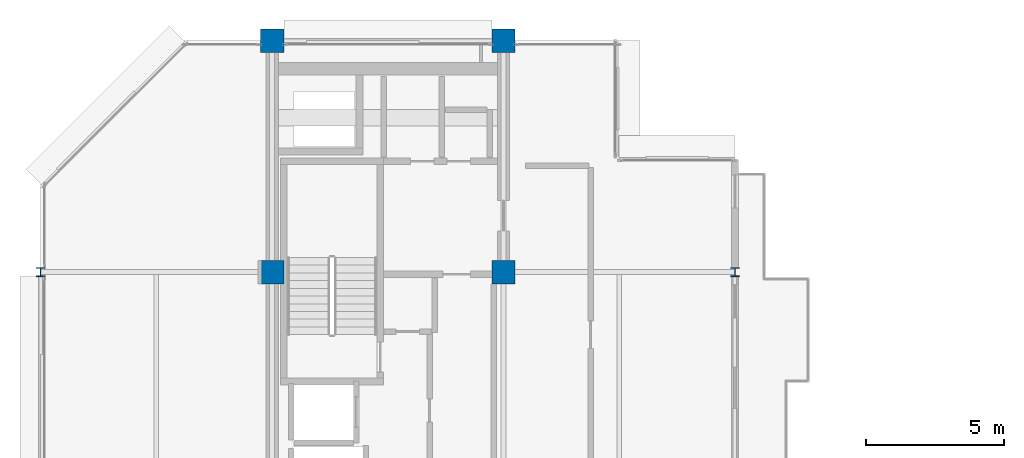
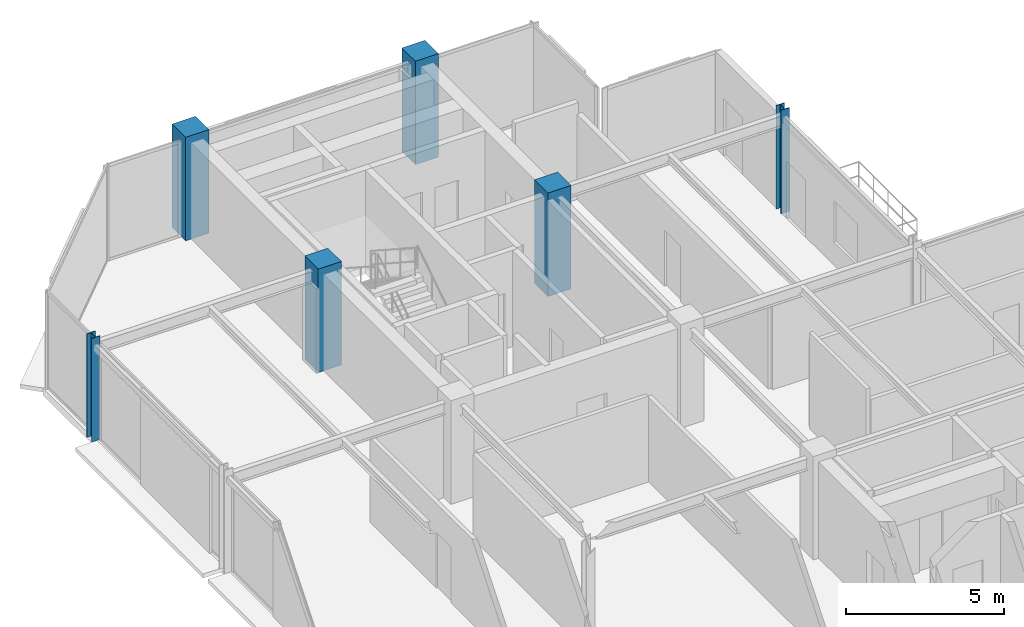
# One storey, part 2 of 27: 6 columns.
"""IFC4 building model written with IfcOpenShell, lengths in metres."""

import ifcopenshell
import ifcopenshell.guid

model = None  # the IFC model being written
_history = None  # IfcOwnerHistory: only IFC2X3 demands one
_inside = {}  # id of a spatial element -> (the spatial element, [elements in it])
_under = {}  # id of a project, library or spatial element -> (it, [spatial elements below it])
_declared = {}  # id of a project -> (the project, [libraries it declares])
_typed = {}  # id of a type object -> (the type object, [elements of that type])
_made_of = {}  # id of a material, layer set ... -> (it, [elements and type objects made of it])


def new_model(schema):
    """Start an empty IFC model of exactly this schema.

    Asked for "IFC4X3", IfcOpenShell would pick the latest addendum, in which some entities
    have other attributes; the version numbers below select the first issue.
    IFC2X3 requires an IfcOwnerHistory on every rooted entity: one is made here for all.
    """
    global model, _history
    if schema == "IFC4X3":
        model = ifcopenshell.file(schema_version=(4, 3, 0, 0))
    else:
        model = ifcopenshell.file(schema=schema)
    _inside.clear()
    _under.clear()
    _declared.clear()
    _typed.clear()
    _made_of.clear()
    _history = None
    if model.schema == "IFC2X3":
        org = make("IfcOrganization", Name="unknown")
        user = make(
            "IfcPersonAndOrganization",
            ThePerson=make("IfcPerson", FamilyName="unknown"),
            TheOrganization=org,
        )
        app = make(
            "IfcApplication",
            ApplicationDeveloper=org,
            Version="unknown",
            ApplicationFullName="unknown",
            ApplicationIdentifier="unknown",
        )
        _history = make(
            "IfcOwnerHistory",
            OwningUser=user,
            OwningApplication=app,
            ChangeAction="ADDED",
            CreationDate=0,
        )
    return model


def make(cls, **values):
    """One entity of the class cls with the attributes given. An attribute that is None is left unset."""
    return model.create_entity(
        cls, **{name: value for name, value in values.items() if value is not None}
    )


def rooted(cls, **values):
    """An entity with a GlobalId (a new one), such as an element, a storey or a relation."""
    return make(cls, GlobalId=ifcopenshell.guid.new(), OwnerHistory=_history, **values)


def si_unit(unit_type, name, prefix=None):
    """IfcSIUnit, for example si_unit("LENGTHUNIT", "METRE", prefix="MILLI")."""
    return make("IfcSIUnit", UnitType=unit_type, Prefix=prefix, Name=name)


def assignment(units):
    """IfcUnitAssignment: the units of a project."""
    return None if units is None else make("IfcUnitAssignment", Units=units)


def point(xyz):
    """IfcCartesianPoint."""
    return None if xyz is None else make("IfcCartesianPoint", Coordinates=xyz)


def direction(xyz):
    """IfcDirection."""
    return None if xyz is None else make("IfcDirection", DirectionRatios=xyz)


def frame(location, z_axis=None, x_axis=None):
    """IfcAxis2Placement3D, a coordinate frame: its origin and axes. An axis left out is left unset."""
    return make(
        "IfcAxis2Placement3D",
        Location=point(location),
        Axis=direction(z_axis),
        RefDirection=direction(x_axis),
    )


def frame_2d(location, x_axis=None):
    """IfcAxis2Placement2D, a coordinate frame in the plane: its origin and x axis."""
    return make(
        "IfcAxis2Placement2D", Location=point(location), RefDirection=direction(x_axis)
    )


def origin():
    """The frame at (0, 0, 0) with its axes left unset."""
    return frame((0.0, 0.0, 0.0))


def origin_2d():
    """The frame at (0, 0) in the plane with its x axis left unset."""
    return frame_2d((0.0, 0.0))


def place(relative_to, where):
    """IfcLocalPlacement: puts the frame where relative to a parent placement (None: the world)."""
    return make(
        "IfcLocalPlacement", PlacementRelTo=relative_to, RelativePlacement=where
    )


def context(
    kind, dimensions, precision=None, world=None, true_north=None, identifier=None
):
    """IfcGeometricRepresentationContext, for example the 3D "Model" context."""
    return make(
        "IfcGeometricRepresentationContext",
        ContextIdentifier=identifier,
        ContextType=kind,
        CoordinateSpaceDimension=dimensions,
        Precision=precision,
        WorldCoordinateSystem=world,
        TrueNorth=true_north,
    )


def subcontext(parent, identifier, kind, view, scale=None):
    """IfcGeometricRepresentationSubContext, for example "Body" below "Model"."""
    return make(
        "IfcGeometricRepresentationSubContext",
        ContextIdentifier=identifier,
        ContextType=kind,
        ParentContext=parent,
        TargetScale=scale,
        TargetView=view,
    )


def project(units=None, contexts=None):
    """IfcProject with its units and contexts."""
    return rooted(
        "IfcProject",
        Name="project",
        RepresentationContexts=contexts,
        UnitsInContext=assignment(units),
    )


def spatial(cls, under=None, at=None, **own):
    """A site, building, storey or space (cls), placed at a placement, below another one or the project."""
    s = rooted(cls, ObjectPlacement=at, **own)
    if under is not None:
        _under.setdefault(under.id(), (under, []))[1].append(s)
    return s


def profile(cls, at=None, kind="AREA", **sizes):
    """A parametric profile (cls). Its sizes go by their IFC names, for example OverallWidth=200.0."""
    return make(cls, ProfileType=kind, Position=at, **sizes)


def rectangle(**sizes):
    """IfcRectangleProfileDef."""
    return profile("IfcRectangleProfileDef", **sizes)


def i_section(**sizes):
    """IfcIShapeProfileDef."""
    return profile("IfcIShapeProfileDef", **sizes)


def extrude(swept, where, along, depth):
    """IfcExtrudedAreaSolid: the profile swept, set in the frame where, extruded along a direction by depth."""
    return make(
        "IfcExtrudedAreaSolid",
        SweptArea=swept,
        Position=where,
        ExtrudedDirection=direction(along),
        Depth=depth,
    )


def shape(context_of_items, identifier, shape_type, items):
    """IfcShapeRepresentation: the items that make up one representation, for example the "Body"."""
    return make(
        "IfcShapeRepresentation",
        ContextOfItems=context_of_items,
        RepresentationIdentifier=identifier,
        RepresentationType=shape_type,
        Items=items,
    )


def material(Name=None, Category=None):
    """IfcMaterial."""
    return make("IfcMaterial", Name=Name, Category=Category)


def material_profile(
    of_material, cross_section, Name=None, Category=None, Priority=None
):
    """IfcMaterialProfile: a cross section and its material."""
    return make(
        "IfcMaterialProfile",
        Name=Name,
        Material=of_material,
        Profile=cross_section,
        Priority=Priority,
        Category=Category,
    )


def profile_set(profiles, Name=None, composite=None):
    """IfcMaterialProfileSet."""
    return make(
        "IfcMaterialProfileSet",
        Name=Name,
        MaterialProfiles=profiles,
        CompositeProfile=composite,
    )


def made_of(thing, what):
    """Note that an element or type object is made of a material, layer set ...; save() writes the relation."""
    if what is not None:
        _made_of.setdefault(what.id(), (what, []))[1].append(thing)
    return thing


def type_object(cls, material=None, **own):
    """A type object (cls), such as IfcWallType, which elements share."""
    return made_of(rooted(cls, **own), material)


def element(
    cls,
    number,
    at=None,
    inside=None,
    cuts=None,
    type_object=None,
    material=None,
    context=None,
    identifier="Body",
    shape_type=None,
    held_by="IfcProductDefinitionShape",
    body=None,
    shapes=None,
    **own,
):
    """One element of the class cls, such as IfcWall. Its Tag is "e" and its number.

    at: its placement. inside: the storey or other place that contains it. cuts: it is an
    opening in that element (IfcRelVoidsElement). A single representation is given by context,
    identifier, shape_type and body (its items); several are given by shapes. held_by: the class
    of the entity that holds the representations. save() writes the other relations.
    """
    e = rooted(cls, Tag="e%d" % number, ObjectPlacement=at, **own)
    if body is not None:
        shapes = [shape(context, identifier, shape_type, body)]
    if shapes is not None:
        e.Representation = make(held_by, Representations=shapes)
    if inside is not None:
        _inside.setdefault(inside.id(), (inside, []))[1].append(e)
    if cuts is not None:
        rooted(
            "IfcRelVoidsElement", RelatingBuildingElement=cuts, RelatedOpeningElement=e
        )
    if type_object is not None:
        _typed.setdefault(type_object.id(), (type_object, []))[1].append(e)
    return made_of(e, material)


def aggregate(whole, parts):
    """IfcRelAggregates: a whole, such as a stair, and the parts it consists of."""
    return rooted("IfcRelAggregates", RelatingObject=whole, RelatedObjects=parts)


def save(model, path):
    """Write the relations noted so far, then the file.

    IfcRelAggregates (storeys below a building ...), IfcRelContainedInSpatialStructure (elements
    in a storey), IfcRelDefinesByType, IfcRelAssociatesMaterial and IfcRelDeclares: one each for
    every whole, place, type object, material and project.
    """
    for whole, parts in _under.values():
        aggregate(whole, parts)
    for where, things in _inside.values():
        rooted(
            "IfcRelContainedInSpatialStructure",
            RelatedElements=things,
            RelatingStructure=where,
        )
    for kind, things in _typed.values():
        rooted("IfcRelDefinesByType", RelatedObjects=things, RelatingType=kind)
    for what, things in _made_of.values():
        rooted("IfcRelAssociatesMaterial", RelatedObjects=things, RelatingMaterial=what)
    for by, libraries in _declared.values():
        rooted("IfcRelDeclares", RelatingContext=by, RelatedDefinitions=libraries)
    model.write(path)


model = new_model("IFC4")

# Units and contexts
model_context = context("Model", 3, precision=1e-05, world=origin(), true_north=direction((0.0, 1.0)))
body_context = subcontext(model_context, "Body", "Model", "MODEL_VIEW")
ifc_project = project(units=[si_unit("LENGTHUNIT", "METRE"), si_unit("AREAUNIT", "SQUARE_METRE"), si_unit("VOLUMEUNIT", "CUBIC_METRE"), si_unit("PLANEANGLEUNIT", "RADIAN"), si_unit("MASSUNIT", "GRAM", prefix="KILO")], contexts=[model_context])

# Site, building, storey
site_placement = place(None, origin())
site = spatial("IfcSite", under=ifc_project, at=site_placement, CompositionType="ELEMENT")
building_placement = place(site_placement, origin())
building = spatial("IfcBuilding", under=site, at=building_placement, Name="Nerrivon Quay Data Exchange", CompositionType="ELEMENT")
storey_placement = place(building_placement, frame((0.0, 0.0, 278.199951171875)))
storey = spatial("IfcBuildingStorey", under=building, at=storey_placement, Name="L66", CompositionType="ELEMENT", Elevation=278.199951171875)

# Columns
ifc_material_1 = material(Name="Concrete N50 (50 MPa)", Category="concrete")
ifc_material_profile_1 = material_profile(ifc_material_1, rectangle(XDim=0.85009765625, YDim=0.85009765625, at=origin_2d()), Name="RC-COL-850x850")
ifc_profile_set_1 = profile_set([ifc_material_profile_1], Name="Concrete N50 (50 MPa)")
column_type_1 = type_object("IfcColumnType", Name="COL-C5-850", PredefinedType="COLUMN", material=ifc_profile_set_1)
for number, where, z_axis, x_axis, name in (
    (1, (8.39990234375, 33.60009765625, 0.0), (0.0, 0.0, 1.0), (1.0, 0.0, 0.0), "L66 Column (8.4,33.6)"),
    (2, (8.39990234375, 42.0, 0.0), (0.0, 0.0, 1.0), (1.0, 0.0, 0.0), "L66 Column (8.4,42.0)"),
    (3, (16.800048828125, 33.60009765625, 0.0), (0.0, 0.0, 1.0), (1.0, 0.0, 0.0), "L66 Column (16.8,33.6)"),
    (4, (16.800048828125, 42.0, 0.0), (0.0, 0.0, 1.0), (1.0, 0.0, 0.0), "L66 Column (16.8,42.0)"),
):
    element("IfcColumn", number, at=place(storey_placement, frame(where, z_axis=z_axis, x_axis=x_axis)), inside=storey, type_object=column_type_1, Name=name, PredefinedType="COLUMN", context=body_context, shape_type="SweptSolid", body=[
        extrude(rectangle(XDim=0.85009765625, YDim=0.85009765625, at=origin_2d()), origin(), (0.0, 0.0, 1.0), 4.0),
    ])
ifc_material_2 = material(Name="Steel Grade 350", Category="steel")
ifc_material_profile_2 = material_profile(ifc_material_2, i_section(OverallWidth=0.31103515625, OverallDepth=0.326904296875, WebThickness=0.015625, FlangeThickness=0.02490234375, FilletRadius=0.0166015625, at=origin_2d()), Name="310UC158")
ifc_profile_set_2 = profile_set([ifc_material_profile_2], Name="Steel Grade 350")
column_type_2 = type_object("IfcColumnType", Name="COL-SC4-310UC158", PredefinedType="COLUMN", material=ifc_profile_set_2)
for number, where, z_axis, x_axis, name in (
    (5, (0.0, 33.60009765625, 0.0), (0.0, 0.0, 1.0), (1.0, 0.0, 0.0), "L66 Column (0.0,33.6)"),
    (6, (25.199951171875, 33.60009765625, 0.0), (0.0, 0.0, 1.0), (1.0, 0.0, 0.0), "L66 Column (25.2,33.6)"),
):
    element("IfcColumn", number, at=place(storey_placement, frame(where, z_axis=z_axis, x_axis=x_axis)), inside=storey, type_object=column_type_2, Name=name, PredefinedType="COLUMN", context=body_context, shape_type="SweptSolid", body=[
        extrude(i_section(OverallWidth=0.31103515625, OverallDepth=0.326904296875, WebThickness=0.015625, FlangeThickness=0.02490234375, FilletRadius=0.0166015625, at=origin_2d()), origin(), (0.0, 0.0, 1.0), 4.0),
    ])

save(model, "model.ifc")
